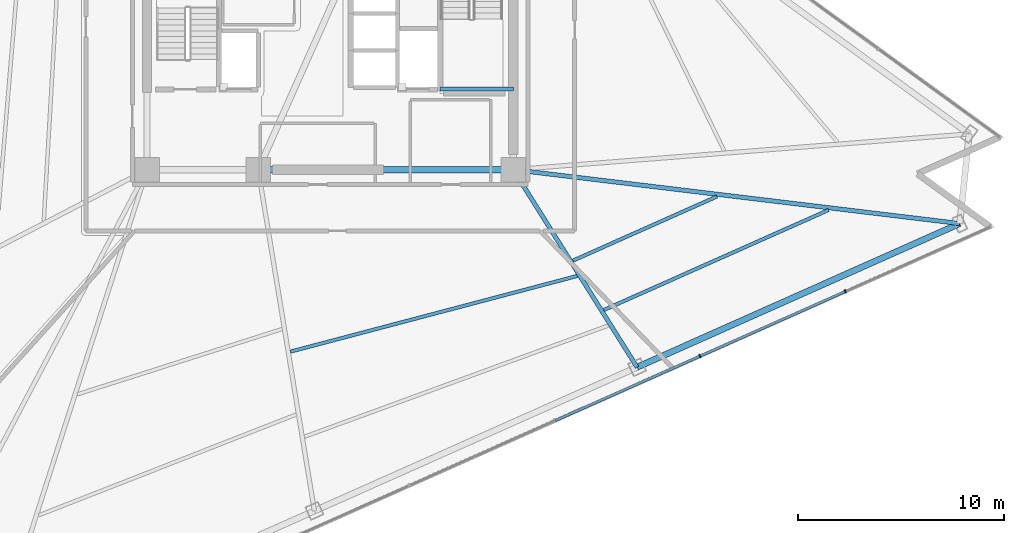
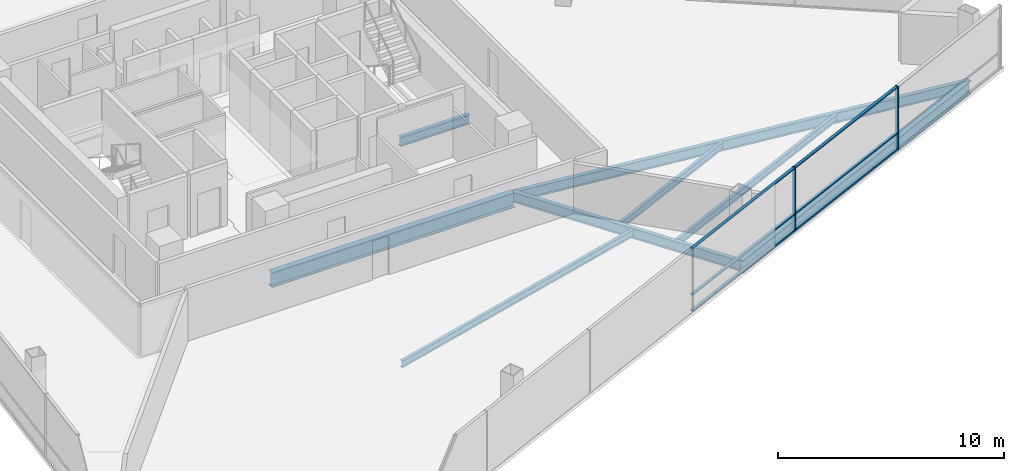
# One storey, part 5 of 16: 8 beams, 8 members, 1 element without a shape of its own.
"""IFC4 building model written with IfcOpenShell, lengths in metres."""

from ifc_helpers import new_model, si_unit, direction, frame, origin, origin_2d, place, context, subcontext, project, spatial, rectangle, i_section, extrude, material, layer, layer_set, material_profile, profile_set, type_object, element, aggregate, save


model = new_model("IFC4")

# Units and contexts
model_context = context("Model", 3, precision=1e-05, world=origin(), true_north=direction((0.0, 1.0)))
body_context = subcontext(model_context, "Body", "Model", "MODEL_VIEW")
ifc_project = project(units=[si_unit("LENGTHUNIT", "METRE"), si_unit("AREAUNIT", "SQUARE_METRE"), si_unit("VOLUMEUNIT", "CUBIC_METRE"), si_unit("PLANEANGLEUNIT", "RADIAN"), si_unit("MASSUNIT", "GRAM", prefix="KILO")], contexts=[model_context])

# Site, building, storey
site_placement = place(None, origin())
site = spatial("IfcSite", under=ifc_project, at=site_placement, CompositionType="ELEMENT")
building_placement = place(site_placement, origin())
building = spatial("IfcBuilding", under=site, at=building_placement, Name="Tharavind Bronze Gate", CompositionType="ELEMENT")
storey_placement = place(building_placement, frame((0.0, 0.0, 123.25)))
storey = spatial("IfcBuildingStorey", under=building, at=storey_placement, Name="L31", CompositionType="ELEMENT", Elevation=123.25)

# Curtain wall, members
ifc_material_1 = material(Name="Anodised Bronze Aluminium", Category="aluminium")
ifc_layer = layer(ifc_material_1, 0.219970703125)
ifc_layer_set = layer_set([ifc_layer], Name="Anodised Bronze Aluminium")
curtain_wall_type = type_object("IfcCurtainWallType", Name="UNITISED CURTAIN WALL LOWER OFFICE", PredefinedType="USERDEFINED", material=ifc_layer_set)
curtain_wall_placement = place(storey_placement, origin())
curtain_wall = element("IfcCurtainWall", 1, at=curtain_wall_placement, inside=storey, type_object=curtain_wall_type, Name="L31 unitised curtain wall lower office CW-L31-S2", ObjectType="UNITISED CURTAIN WALL", PredefinedType="USERDEFINED")
member_type_1 = type_object("IfcMemberType", Name="CURTAIN WALL BRONZE MULLION 65X180", PredefinedType="MULLION", material=ifc_material_1)
member_1_placement = place(storey_placement, frame((17.9755859375, -16.664306640625, 0.0), z_axis=(0.0, 0.0, 1.0), x_axis=(0.913545457643, 0.406736643076, 0.0)))
member_1 = element("IfcMember", 2, at=member_1_placement, type_object=member_type_1, Name="CW-L31-S2 mullion 6", PredefinedType="MULLION", context=body_context, shape_type="SweptSolid", body=[
    extrude(rectangle(XDim=0.06494140625, YDim=0.179931640625, at=origin_2d()), origin(), (0.0, 0.0, 1.0), 3.409912109375),
])
member_2_placement = place(storey_placement, frame((25.03759765625, -13.520263671875, 0.0), z_axis=(0.0, 0.0, 1.0), x_axis=(0.913545457643, 0.406736643076, 0.0)))
member_2 = element("IfcMember", 3, at=member_2_placement, type_object=member_type_1, Name="CW-L31-S2 mullion 7", PredefinedType="MULLION", context=body_context, shape_type="SweptSolid", body=[
    extrude(rectangle(XDim=0.06494140625, YDim=0.179931640625, at=origin_2d()), origin(), (0.0, 0.0, 1.0), 3.409912109375),
])
member_type_2 = type_object("IfcMemberType", Name="CURTAIN WALL BRONZE TRANSOM 65X140", PredefinedType="USERDEFINED", material=ifc_material_1)
member_3_placement = place(storey_placement, frame((14.4443359375, -18.236572265625, 0.0), z_axis=(0.0, 0.0, 1.0), x_axis=(0.913545457643, 0.406736643076, 0.0)))
member_3 = element("IfcMember", 4, at=member_3_placement, type_object=member_type_2, Name="CW-L31-S2 transom TB5", ObjectType="TRANSOM", PredefinedType="USERDEFINED", context=body_context, shape_type="SweptSolid", body=[
    extrude(rectangle(XDim=7.677490234375, YDim=0.139892578125, at=origin_2d()), origin(), (0.0, 0.0, 1.0), 0.06494140625),
])
member_4_placement = place(storey_placement, frame((14.4443359375, -18.236572265625, 0.867431640625), z_axis=(0.0, 0.0, 1.0), x_axis=(0.913545457643, 0.406736643076, 0.0)))
member_4 = element("IfcMember", 5, at=member_4_placement, type_object=member_type_2, Name="CW-L31-S2 transom TS5", ObjectType="TRANSOM", PredefinedType="USERDEFINED", context=body_context, shape_type="SweptSolid", body=[
    extrude(rectangle(XDim=7.677490234375, YDim=0.139892578125, at=origin_2d()), origin(), (0.0, 0.0, 1.0), 0.06494140625),
])
member_5_placement = place(storey_placement, frame((14.4443359375, -18.236572265625, 3.344970703125), z_axis=(0.0, 0.0, 1.0), x_axis=(0.913545457643, 0.406736643076, 0.0)))
member_5 = element("IfcMember", 6, at=member_5_placement, type_object=member_type_2, Name="CW-L31-S2 transom TT5", ObjectType="TRANSOM", PredefinedType="USERDEFINED", context=body_context, shape_type="SweptSolid", body=[
    extrude(rectangle(XDim=7.677490234375, YDim=0.139892578125, at=origin_2d()), origin(), (0.0, 0.0, 1.0), 0.06494140625),
])
member_6_placement = place(storey_placement, frame((21.506591796875, -15.09228515625, 0.0), z_axis=(0.0, 0.0, 1.0), x_axis=(0.913545457643, 0.406736643076, 0.0)))
member_6 = element("IfcMember", 7, at=member_6_placement, type_object=member_type_2, Name="CW-L31-S2 transom TB6", ObjectType="TRANSOM", PredefinedType="USERDEFINED", context=body_context, shape_type="SweptSolid", body=[
    extrude(rectangle(XDim=7.677490234375, YDim=0.139892578125, at=origin_2d()), origin(), (0.0, 0.0, 1.0), 0.06494140625),
])
member_7_placement = place(storey_placement, frame((21.506591796875, -15.09228515625, 0.867431640625), z_axis=(0.0, 0.0, 1.0), x_axis=(0.913545457643, 0.406736643076, 0.0)))
member_7 = element("IfcMember", 8, at=member_7_placement, type_object=member_type_2, Name="CW-L31-S2 transom TS6", ObjectType="TRANSOM", PredefinedType="USERDEFINED", context=body_context, shape_type="SweptSolid", body=[
    extrude(rectangle(XDim=7.677490234375, YDim=0.139892578125, at=origin_2d()), origin(), (0.0, 0.0, 1.0), 0.06494140625),
])
member_8_placement = place(storey_placement, frame((21.506591796875, -15.09228515625, 3.344970703125), z_axis=(0.0, 0.0, 1.0), x_axis=(0.913545457643, 0.406736643076, 0.0)))
member_8 = element("IfcMember", 9, at=member_8_placement, type_object=member_type_2, Name="CW-L31-S2 transom TT6", ObjectType="TRANSOM", PredefinedType="USERDEFINED", context=body_context, shape_type="SweptSolid", body=[
    extrude(rectangle(XDim=7.677490234375, YDim=0.139892578125, at=origin_2d()), origin(), (0.0, 0.0, 1.0), 0.06494140625),
])
aggregate(curtain_wall, [member_1, member_2, member_3, member_4, member_5, member_6, member_7, member_8])

# Beams
ifc_material_2 = material(Name="Steel S355", Category="steel")
ifc_material_profile_1 = material_profile(ifc_material_2, i_section(OverallWidth=0.199951171875, OverallDepth=0.5, WebThickness=0.01025390625, FlangeThickness=0.01611328125, at=origin_2d()), Name="IPE500")
ifc_profile_set_1 = profile_set([ifc_material_profile_1], Name="Steel S355")
beam_type_1 = type_object("IfcBeamType", Name="PRIMARY GIRDER IPE500", PredefinedType="USERDEFINED", material=ifc_profile_set_1)
beam_1_placement = place(storey_placement, frame((5.35009765625, -3.679931640625, 1.35009765625), z_axis=(1.0, 0.0, 0.0), x_axis=(0.0, 1.0, 0.0)))
element("IfcBeam", 10, at=beam_1_placement, inside=storey, type_object=beam_type_1, Name="L31 primary girder ipe500 BM-LD-ST2-L31-1", ObjectType="GIRDER", PredefinedType="USERDEFINED", context=body_context, shape_type="SweptSolid", body=[
    extrude(i_section(OverallWidth=0.199951171875, OverallDepth=0.5, WebThickness=0.01025390625, FlangeThickness=0.01611328125, at=origin_2d()), origin(), (0.0, 0.0, 1.0), 3.5498046875),
])
ifc_material_profile_2 = material_profile(ifc_material_2, i_section(OverallWidth=0.2099609375, OverallDepth=0.550048828125, WebThickness=0.010986328125, FlangeThickness=0.01708984375, at=origin_2d()), Name="IPE550")
ifc_profile_set_2 = profile_set([ifc_material_profile_2], Name="Steel S355")
beam_type_2 = type_object("IfcBeamType", Name="PRIMARY GIRDER IPE550", PredefinedType="USERDEFINED", material=ifc_profile_set_2)
beam_2_placement = place(storey_placement, frame((14.9208984375, -17.20361328125, -0.465087890625), z_axis=(-0.531191038732, 0.84725207605, 0.0), x_axis=(-0.84725207605, -0.531191038732, 0.0)))
element("IfcBeam", 11, at=beam_2_placement, inside=storey, type_object=beam_type_2, Name="L31 primary girder ipe550 BM-L31-RAD07", ObjectType="GIRDER", PredefinedType="USERDEFINED", context=body_context, shape_type="SweptSolid", body=[
    extrude(i_section(OverallWidth=0.2099609375, OverallDepth=0.550048828125, WebThickness=0.010986328125, FlangeThickness=0.01708984375, at=origin_2d()), origin(), (0.0, 0.0, 1.0), 11.3349609375),
])
beam_3_placement = place(storey_placement, frame((30.60791015625, -10.218994140625, -0.465087890625), z_axis=(-0.992801245425, 0.119773482384, 0.0), x_axis=(-0.119773482384, -0.992801245425, 0.0)))
element("IfcBeam", 12, at=beam_3_placement, inside=storey, type_object=beam_type_2, Name="L31 primary girder ipe550 BM-L31-RAD08", ObjectType="GIRDER", PredefinedType="USERDEFINED", context=body_context, shape_type="SweptSolid", body=[
    extrude(i_section(OverallWidth=0.2099609375, OverallDepth=0.550048828125, WebThickness=0.010986328125, FlangeThickness=0.01708984375, at=origin_2d()), origin(), (0.0, 0.0, 1.0), 21.865478515625),
])
ifc_material_profile_3 = material_profile(ifc_material_2, i_section(OverallWidth=0.300048828125, OverallDepth=0.699951171875, WebThickness=0.01708984375, FlangeThickness=0.031982421875, at=origin_2d()), Name="HE700B")
ifc_profile_set_3 = profile_set([ifc_material_profile_3], Name="Steel S355")
beam_type_3 = type_object("IfcBeamType", Name="RING GIRDER HE700B", PredefinedType="USERDEFINED", material=ifc_profile_set_3)
beam_4_placement = place(storey_placement, frame((14.9208984375, -17.20361328125, -0.5400390625), z_axis=(0.913538716284, 0.406751784078, 0.0), x_axis=(-0.406751784078, 0.913538716284, 0.0)))
element("IfcBeam", 13, at=beam_4_placement, inside=storey, type_object=beam_type_3, Name="L31 ring girder he700b BM-L31-PRG07", ObjectType="GIRDER", PredefinedType="USERDEFINED", context=body_context, shape_type="SweptSolid", body=[
    extrude(i_section(OverallWidth=0.300048828125, OverallDepth=0.699951171875, WebThickness=0.01708984375, FlangeThickness=0.031982421875, at=origin_2d()), origin(), (0.0, 0.0, 1.0), 17.171630859375),
])
ifc_material_profile_4 = material_profile(ifc_material_2, i_section(OverallWidth=0.300048828125, OverallDepth=0.800048828125, WebThickness=0.017578125, FlangeThickness=0.032958984375, at=origin_2d()), Name="HE800B")
ifc_profile_set_4 = profile_set([ifc_material_profile_4], Name="Steel S355")
beam_type_4 = type_object("IfcBeamType", Name="RING GIRDER HE800B", PredefinedType="USERDEFINED", material=ifc_profile_set_4)
beam_5_placement = place(storey_placement, frame((-3.5, -7.60009765625, -0.590087890625), z_axis=(1.0, 0.0, 0.0), x_axis=(0.0, 1.0, 0.0)))
element("IfcBeam", 14, at=beam_5_placement, inside=storey, type_object=beam_type_4, Name="L31 ring girder he800b BM-L31-CR2", ObjectType="GIRDER", PredefinedType="USERDEFINED", context=body_context, shape_type="SweptSolid", body=[
    extrude(i_section(OverallWidth=0.300048828125, OverallDepth=0.800048828125, WebThickness=0.017578125, FlangeThickness=0.032958984375, at=origin_2d()), origin(), (0.0, 0.0, 1.0), 12.39990234375),
])
ifc_material_profile_5 = material_profile(ifc_material_2, i_section(OverallWidth=0.169921875, OverallDepth=0.360107421875, WebThickness=0.008056640625, FlangeThickness=0.0126953125, at=origin_2d()), Name="IPE360")
ifc_profile_set_5 = profile_set([ifc_material_profile_5], Name="Steel S355")
beam_type_5 = type_object("IfcBeamType", Name="SECONDARY FLOOR JOIST IPE360", PredefinedType="JOIST", material=ifc_profile_set_5)
beam_6_placement = place(storey_placement, frame((-1.931640625, -16.446533203125, -0.3701171875), z_axis=(0.966897979759, 0.255163274667, 0.0), x_axis=(-0.255163274667, 0.966897979759, 0.0)))
element("IfcBeam", 15, at=beam_6_placement, inside=storey, type_object=beam_type_5, Name="L31 secondary floor joist ipe360 BM-L31-JSTA06", PredefinedType="JOIST", context=body_context, shape_type="SweptSolid", body=[
    extrude(i_section(OverallWidth=0.169921875, OverallDepth=0.360107421875, WebThickness=0.008056640625, FlangeThickness=0.0126953125, at=origin_2d()), origin(), (0.0, 0.0, 1.0), 14.419921875),
])
beam_7_placement = place(storey_placement, frame((11.80029296875, -12.02099609375, -0.3701171875), z_axis=(0.913531613224, 0.406767736725, 0.0), x_axis=(-0.406767736725, 0.913531613224, 0.0)))
element("IfcBeam", 16, at=beam_7_placement, inside=storey, type_object=beam_type_5, Name="L31 secondary floor joist ipe360 BM-L31-JSTA07", PredefinedType="JOIST", context=body_context, shape_type="SweptSolid", body=[
    extrude(i_section(OverallWidth=0.169921875, OverallDepth=0.360107421875, WebThickness=0.008056640625, FlangeThickness=0.0126953125, at=origin_2d()), origin(), (0.0, 0.0, 1.0), 7.666259765625),
])
beam_8_placement = place(storey_placement, frame((13.305419921875, -14.421630859375, -0.3701171875), z_axis=(0.913552919098, 0.406719883959, 0.0), x_axis=(-0.406719883959, 0.913552919098, 0.0)))
element("IfcBeam", 17, at=beam_8_placement, inside=storey, type_object=beam_type_5, Name="L31 secondary floor joist ipe360 BM-L31-JSTB07", PredefinedType="JOIST", context=body_context, shape_type="SweptSolid", body=[
    extrude(i_section(OverallWidth=0.169921875, OverallDepth=0.360107421875, WebThickness=0.008056640625, FlangeThickness=0.0126953125, at=origin_2d()), origin(), (0.0, 0.0, 1.0), 11.959228515625),
])

save(model, "model.ifc")
